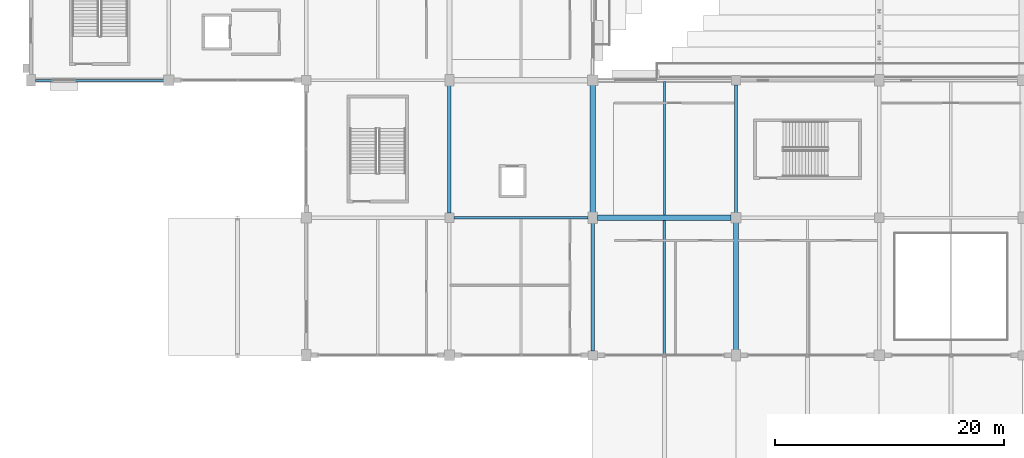
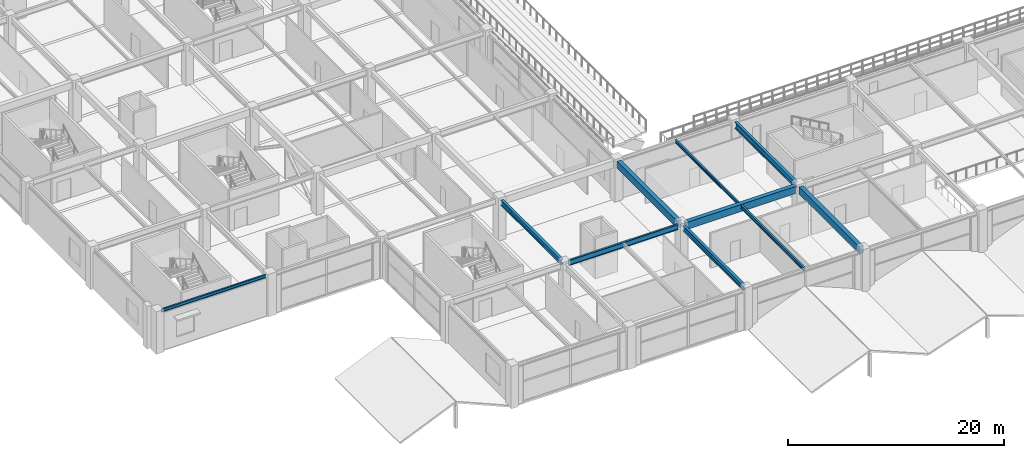
# One storey, part 7 of 134: 10 beams.
"""IFC4 building model written with IfcOpenShell, lengths in metres."""

import ifcopenshell
import ifcopenshell.guid

model = None  # the IFC model being written
_history = None  # IfcOwnerHistory: only IFC2X3 demands one
_inside = {}  # id of a spatial element -> (the spatial element, [elements in it])
_under = {}  # id of a project, library or spatial element -> (it, [spatial elements below it])
_declared = {}  # id of a project -> (the project, [libraries it declares])
_typed = {}  # id of a type object -> (the type object, [elements of that type])
_made_of = {}  # id of a material, layer set ... -> (it, [elements and type objects made of it])


def new_model(schema):
    """Start an empty IFC model of exactly this schema.

    Asked for "IFC4X3", IfcOpenShell would pick the latest addendum, in which some entities
    have other attributes; the version numbers below select the first issue.
    IFC2X3 requires an IfcOwnerHistory on every rooted entity: one is made here for all.
    """
    global model, _history
    if schema == "IFC4X3":
        model = ifcopenshell.file(schema_version=(4, 3, 0, 0))
    else:
        model = ifcopenshell.file(schema=schema)
    _inside.clear()
    _under.clear()
    _declared.clear()
    _typed.clear()
    _made_of.clear()
    _history = None
    if model.schema == "IFC2X3":
        org = make("IfcOrganization", Name="unknown")
        user = make(
            "IfcPersonAndOrganization",
            ThePerson=make("IfcPerson", FamilyName="unknown"),
            TheOrganization=org,
        )
        app = make(
            "IfcApplication",
            ApplicationDeveloper=org,
            Version="unknown",
            ApplicationFullName="unknown",
            ApplicationIdentifier="unknown",
        )
        _history = make(
            "IfcOwnerHistory",
            OwningUser=user,
            OwningApplication=app,
            ChangeAction="ADDED",
            CreationDate=0,
        )
    return model


def make(cls, **values):
    """One entity of the class cls with the attributes given. An attribute that is None is left unset."""
    return model.create_entity(
        cls, **{name: value for name, value in values.items() if value is not None}
    )


def rooted(cls, **values):
    """An entity with a GlobalId (a new one), such as an element, a storey or a relation."""
    return make(cls, GlobalId=ifcopenshell.guid.new(), OwnerHistory=_history, **values)


def si_unit(unit_type, name, prefix=None):
    """IfcSIUnit, for example si_unit("LENGTHUNIT", "METRE", prefix="MILLI")."""
    return make("IfcSIUnit", UnitType=unit_type, Prefix=prefix, Name=name)


def assignment(units):
    """IfcUnitAssignment: the units of a project."""
    return None if units is None else make("IfcUnitAssignment", Units=units)


def point(xyz):
    """IfcCartesianPoint."""
    return None if xyz is None else make("IfcCartesianPoint", Coordinates=xyz)


def direction(xyz):
    """IfcDirection."""
    return None if xyz is None else make("IfcDirection", DirectionRatios=xyz)


def frame(location, z_axis=None, x_axis=None):
    """IfcAxis2Placement3D, a coordinate frame: its origin and axes. An axis left out is left unset."""
    return make(
        "IfcAxis2Placement3D",
        Location=point(location),
        Axis=direction(z_axis),
        RefDirection=direction(x_axis),
    )


def frame_2d(location, x_axis=None):
    """IfcAxis2Placement2D, a coordinate frame in the plane: its origin and x axis."""
    return make(
        "IfcAxis2Placement2D", Location=point(location), RefDirection=direction(x_axis)
    )


def origin():
    """The frame at (0, 0, 0) with its axes left unset."""
    return frame((0.0, 0.0, 0.0))


def origin_2d():
    """The frame at (0, 0) in the plane with its x axis left unset."""
    return frame_2d((0.0, 0.0))


def place(relative_to, where):
    """IfcLocalPlacement: puts the frame where relative to a parent placement (None: the world)."""
    return make(
        "IfcLocalPlacement", PlacementRelTo=relative_to, RelativePlacement=where
    )


def context(
    kind, dimensions, precision=None, world=None, true_north=None, identifier=None
):
    """IfcGeometricRepresentationContext, for example the 3D "Model" context."""
    return make(
        "IfcGeometricRepresentationContext",
        ContextIdentifier=identifier,
        ContextType=kind,
        CoordinateSpaceDimension=dimensions,
        Precision=precision,
        WorldCoordinateSystem=world,
        TrueNorth=true_north,
    )


def subcontext(parent, identifier, kind, view, scale=None):
    """IfcGeometricRepresentationSubContext, for example "Body" below "Model"."""
    return make(
        "IfcGeometricRepresentationSubContext",
        ContextIdentifier=identifier,
        ContextType=kind,
        ParentContext=parent,
        TargetScale=scale,
        TargetView=view,
    )


def project(units=None, contexts=None):
    """IfcProject with its units and contexts."""
    return rooted(
        "IfcProject",
        Name="project",
        RepresentationContexts=contexts,
        UnitsInContext=assignment(units),
    )


def spatial(cls, under=None, at=None, **own):
    """A site, building, storey or space (cls), placed at a placement, below another one or the project."""
    s = rooted(cls, ObjectPlacement=at, **own)
    if under is not None:
        _under.setdefault(under.id(), (under, []))[1].append(s)
    return s


def profile(cls, at=None, kind="AREA", **sizes):
    """A parametric profile (cls). Its sizes go by their IFC names, for example OverallWidth=200.0."""
    return make(cls, ProfileType=kind, Position=at, **sizes)


def rectangle(**sizes):
    """IfcRectangleProfileDef."""
    return profile("IfcRectangleProfileDef", **sizes)


def i_section(**sizes):
    """IfcIShapeProfileDef."""
    return profile("IfcIShapeProfileDef", **sizes)


def extrude(swept, where, along, depth):
    """IfcExtrudedAreaSolid: the profile swept, set in the frame where, extruded along a direction by depth."""
    return make(
        "IfcExtrudedAreaSolid",
        SweptArea=swept,
        Position=where,
        ExtrudedDirection=direction(along),
        Depth=depth,
    )


def shape(context_of_items, identifier, shape_type, items):
    """IfcShapeRepresentation: the items that make up one representation, for example the "Body"."""
    return make(
        "IfcShapeRepresentation",
        ContextOfItems=context_of_items,
        RepresentationIdentifier=identifier,
        RepresentationType=shape_type,
        Items=items,
    )


def material(Name=None, Category=None):
    """IfcMaterial."""
    return make("IfcMaterial", Name=Name, Category=Category)


def material_profile(
    of_material, cross_section, Name=None, Category=None, Priority=None
):
    """IfcMaterialProfile: a cross section and its material."""
    return make(
        "IfcMaterialProfile",
        Name=Name,
        Material=of_material,
        Profile=cross_section,
        Priority=Priority,
        Category=Category,
    )


def profile_set(profiles, Name=None, composite=None):
    """IfcMaterialProfileSet."""
    return make(
        "IfcMaterialProfileSet",
        Name=Name,
        MaterialProfiles=profiles,
        CompositeProfile=composite,
    )


def made_of(thing, what):
    """Note that an element or type object is made of a material, layer set ...; save() writes the relation."""
    if what is not None:
        _made_of.setdefault(what.id(), (what, []))[1].append(thing)
    return thing


def type_object(cls, material=None, **own):
    """A type object (cls), such as IfcWallType, which elements share."""
    return made_of(rooted(cls, **own), material)


def element(
    cls,
    number,
    at=None,
    inside=None,
    cuts=None,
    type_object=None,
    material=None,
    context=None,
    identifier="Body",
    shape_type=None,
    held_by="IfcProductDefinitionShape",
    body=None,
    shapes=None,
    **own,
):
    """One element of the class cls, such as IfcWall. Its Tag is "e" and its number.

    at: its placement. inside: the storey or other place that contains it. cuts: it is an
    opening in that element (IfcRelVoidsElement). A single representation is given by context,
    identifier, shape_type and body (its items); several are given by shapes. held_by: the class
    of the entity that holds the representations. save() writes the other relations.
    """
    e = rooted(cls, Tag="e%d" % number, ObjectPlacement=at, **own)
    if body is not None:
        shapes = [shape(context, identifier, shape_type, body)]
    if shapes is not None:
        e.Representation = make(held_by, Representations=shapes)
    if inside is not None:
        _inside.setdefault(inside.id(), (inside, []))[1].append(e)
    if cuts is not None:
        rooted(
            "IfcRelVoidsElement", RelatingBuildingElement=cuts, RelatedOpeningElement=e
        )
    if type_object is not None:
        _typed.setdefault(type_object.id(), (type_object, []))[1].append(e)
    return made_of(e, material)


def aggregate(whole, parts):
    """IfcRelAggregates: a whole, such as a stair, and the parts it consists of."""
    return rooted("IfcRelAggregates", RelatingObject=whole, RelatedObjects=parts)


def save(model, path):
    """Write the relations noted so far, then the file.

    IfcRelAggregates (storeys below a building ...), IfcRelContainedInSpatialStructure (elements
    in a storey), IfcRelDefinesByType, IfcRelAssociatesMaterial and IfcRelDeclares: one each for
    every whole, place, type object, material and project.
    """
    for whole, parts in _under.values():
        aggregate(whole, parts)
    for where, things in _inside.values():
        rooted(
            "IfcRelContainedInSpatialStructure",
            RelatedElements=things,
            RelatingStructure=where,
        )
    for kind, things in _typed.values():
        rooted("IfcRelDefinesByType", RelatedObjects=things, RelatingType=kind)
    for what, things in _made_of.values():
        rooted("IfcRelAssociatesMaterial", RelatedObjects=things, RelatingMaterial=what)
    for by, libraries in _declared.values():
        rooted("IfcRelDeclares", RelatingContext=by, RelatedDefinitions=libraries)
    model.write(path)


model = new_model("IFC4")

# Units and contexts
model_context = context("Model", 3, precision=1e-05, world=origin(), true_north=direction((0.0, 1.0)))
body_context = subcontext(model_context, "Body", "Model", "MODEL_VIEW")
ifc_project = project(units=[si_unit("LENGTHUNIT", "METRE"), si_unit("AREAUNIT", "SQUARE_METRE"), si_unit("VOLUMEUNIT", "CUBIC_METRE"), si_unit("PLANEANGLEUNIT", "RADIAN"), si_unit("MASSUNIT", "GRAM", prefix="KILO")], contexts=[model_context])

# Site, building, storey
site_placement = place(None, origin())
site = spatial("IfcSite", under=ifc_project, at=site_placement, CompositionType="ELEMENT")
building_placement = place(site_placement, origin())
building = spatial("IfcBuilding", under=site, at=building_placement, Name="Kazenohara Klinker Stadium", CompositionType="ELEMENT")
storey_placement = place(building_placement, frame((0.0, 0.0, 5.39990234375)))
storey = spatial("IfcBuildingStorey", under=building, at=storey_placement, Name="L01", CompositionType="ELEMENT", Elevation=5.39990234375)

# Beams
ifc_material_1 = material(Name="Steel S355", Category="steel")
ifc_material_profile_1 = material_profile(ifc_material_1, i_section(OverallWidth=0.199951171875, OverallDepth=0.39990234375, WebThickness=0.008056640625, FlangeThickness=0.012939453125, FilletRadius=0.012939453125, at=origin_2d()), Name="H-400x200x8x13")
ifc_profile_set_1 = profile_set([ifc_material_profile_1], Name="Steel S355")
beam_type_1 = type_object("IfcBeamType", Name="BM-JST03", PredefinedType="JOIST", material=ifc_profile_set_1)
beam_1_placement = place(storey_placement, frame((55.25, 12.08740234375, 4.35009765625), z_axis=(0.0, 1.0, 0.0), x_axis=(-1.0, 0.0, 0.0)))
element("IfcBeam", 1, at=beam_1_placement, inside=storey, type_object=beam_type_1, Name="Secondary floor joist SJ03 L01 5/B", PredefinedType="JOIST", context=body_context, shape_type="SweptSolid", body=[
    extrude(i_section(OverallWidth=0.199951171875, OverallDepth=0.39990234375, WebThickness=0.008056640625, FlangeThickness=0.012939453125, FilletRadius=0.012939453125, at=origin_2d()), origin(), (0.0, 0.0, 1.0), 11.6875),
])
ifc_material_profile_2 = material_profile(ifc_material_1, i_section(OverallWidth=0.175048828125, OverallDepth=0.35009765625, WebThickness=0.007080078125, FlangeThickness=0.010986328125, FilletRadius=0.012939453125, at=origin_2d()), Name="H-350x175x7x11")
ifc_profile_set_2 = profile_set([ifc_material_profile_2], Name="Steel S355")
beam_type_2 = type_object("IfcBeamType", Name="BM-JST04", PredefinedType="JOIST", material=ifc_profile_set_2)
beam_2_placement = place(storey_placement, frame((55.25, 24.22509765625, 4.375), z_axis=(0.0, 1.0, 0.0), x_axis=(-1.0, 0.0, 0.0)))
element("IfcBeam", 2, at=beam_2_placement, inside=storey, type_object=beam_type_2, Name="Secondary floor joist SJ04 L01 5/C", PredefinedType="JOIST", context=body_context, shape_type="SweptSolid", body=[
    extrude(i_section(OverallWidth=0.175048828125, OverallDepth=0.35009765625, WebThickness=0.007080078125, FlangeThickness=0.010986328125, FilletRadius=0.012939453125, at=origin_2d()), origin(), (0.0, 0.0, 1.0), 11.6875),
])
ifc_material_2 = material(Name="Concrete C40/50", Category="concrete")
ifc_material_profile_3 = material_profile(ifc_material_2, rectangle(XDim=0.449951171875, YDim=0.800048828125, at=origin_2d()), Name="RC-BM-450x800")
ifc_profile_set_3 = profile_set([ifc_material_profile_3], Name="Concrete C40/50")
beam_type_3 = type_object("IfcBeamType", Name="BM-RC03", PredefinedType="BEAM", material=ifc_profile_set_3)
beam_3_placement = place(storey_placement, frame((49.39990234375, 24.0, 4.150146484375), z_axis=(1.0, 0.0, 0.0), x_axis=(0.0, 1.0, 0.0)))
element("IfcBeam", 3, at=beam_3_placement, inside=storey, type_object=beam_type_3, Name="Primary girder BG03 L01 5-6/C", PredefinedType="BEAM", context=body_context, shape_type="SweptSolid", body=[
    extrude(rectangle(XDim=0.449951171875, YDim=0.800048828125, at=origin_2d()), origin(), (0.0, 0.0, 1.0), 11.68017578125),
])
for number, where, z_axis, x_axis, name in (
    (4, (49.0, 24.419921875, 4.150146484375), (0.0, 1.0, 0.0), (-1.0, 0.0, 0.0), "Primary girder BG03 L01 5/C-D"),
    (5, (61.5, 12.419921875, 4.150146484375), (0.0, 1.0, 0.0), (-1.0, 0.0, 0.0), "Primary girder BG03 L01 6/B-C"),
):
    element("IfcBeam", number, at=place(storey_placement, frame(where, z_axis=z_axis, x_axis=x_axis)), inside=storey, type_object=beam_type_3, Name=name, PredefinedType="BEAM", context=body_context, shape_type="SweptSolid", body=[
        extrude(rectangle(XDim=0.449951171875, YDim=0.800048828125, at=origin_2d()), origin(), (0.0, 0.0, 1.0), 11.16015625),
    ])
ifc_material_profile_4 = material_profile(ifc_material_1, i_section(OverallWidth=0.175048828125, OverallDepth=0.35009765625, WebThickness=0.007080078125, FlangeThickness=0.010986328125, FilletRadius=0.012939453125, at=origin_2d()), Name="H-350x175x7x11")
ifc_profile_set_4 = profile_set([ifc_material_profile_4], Name="Steel S355")
beam_type_4 = type_object("IfcBeamType", Name="BM-SPD02", PredefinedType="SPANDREL", material=ifc_profile_set_4)
beam_4_placement = place(storey_placement, frame((0.39990234375, 36.0, 4.375), z_axis=(1.0, 0.0, 0.0), x_axis=(0.0, 1.0, 0.0)))
element("IfcBeam", 6, at=beam_4_placement, inside=storey, type_object=beam_type_4, Name="Primary girder SP02 L01 1-2/D", PredefinedType="SPANDREL", context=body_context, shape_type="SweptSolid", body=[
    extrude(i_section(OverallWidth=0.175048828125, OverallDepth=0.35009765625, WebThickness=0.007080078125, FlangeThickness=0.010986328125, FilletRadius=0.012939453125, at=origin_2d()), origin(), (0.0, 0.0, 1.0), 11.18017578125),
])
ifc_material_profile_5 = material_profile(ifc_material_1, i_section(OverallWidth=0.300048828125, OverallDepth=0.699951171875, WebThickness=0.012939453125, FlangeThickness=0.02392578125, FilletRadius=0.02197265625, at=origin_2d()), Name="H-700x300x13x24")
ifc_profile_set_5 = profile_set([ifc_material_profile_5], Name="Steel S355")
beam_type_5 = type_object("IfcBeamType", Name="BM-ST03", PredefinedType="BEAM", material=ifc_profile_set_5)
beam_5_placement = place(storey_placement, frame((61.5, 24.419921875, 4.2001953125), z_axis=(0.0, 1.0, 0.0), x_axis=(-1.0, 0.0, 0.0)))
element("IfcBeam", 7, at=beam_5_placement, inside=storey, type_object=beam_type_5, Name="Primary girder SB03 L01 6/C-D", PredefinedType="BEAM", context=body_context, shape_type="SweptSolid", body=[
    extrude(i_section(OverallWidth=0.300048828125, OverallDepth=0.699951171875, WebThickness=0.012939453125, FlangeThickness=0.02392578125, FilletRadius=0.02197265625, at=origin_2d()), origin(), (0.0, 0.0, 1.0), 11.18017578125),
])
ifc_material_profile_6 = material_profile(ifc_material_1, i_section(OverallWidth=0.199951171875, OverallDepth=0.60009765625, WebThickness=0.010986328125, FlangeThickness=0.01708984375, FilletRadius=0.012939453125, at=origin_2d()), Name="H-600x200x11x17")
ifc_profile_set_6 = profile_set([ifc_material_profile_6], Name="Steel S355")
beam_type_6 = type_object("IfcBeamType", Name="BM-ST04", PredefinedType="BEAM", material=ifc_profile_set_6)
beam_6_placement = place(storey_placement, frame((36.89990234375, 24.0, 4.25), z_axis=(1.0, 0.0, 0.0), x_axis=(0.0, 1.0, 0.0)))
element("IfcBeam", 8, at=beam_6_placement, inside=storey, type_object=beam_type_6, Name="Primary girder SB04 L01 4-5/C", PredefinedType="BEAM", context=body_context, shape_type="SweptSolid", body=[
    extrude(i_section(OverallWidth=0.199951171875, OverallDepth=0.60009765625, WebThickness=0.010986328125, FlangeThickness=0.01708984375, FilletRadius=0.012939453125, at=origin_2d()), origin(), (0.0, 0.0, 1.0), 11.7001953125),
])
ifc_material_profile_7 = material_profile(ifc_material_1, i_section(OverallWidth=0.300048828125, OverallDepth=0.587890625, WebThickness=0.011962890625, FlangeThickness=0.02001953125, FilletRadius=0.02197265625, at=origin_2d()), Name="H-588x300x12x20")
ifc_profile_set_7 = profile_set([ifc_material_profile_7], Name="Steel S355")
beam_type_7 = type_object("IfcBeamType", Name="BM-ST05", PredefinedType="BEAM", material=ifc_profile_set_7)
for number, where, z_axis, x_axis, name in (
    (9, (36.5, 24.39990234375, 4.256103515625), (0.0, 1.0, 0.0), (-1.0, 0.0, 0.0), "Primary girder SB05 L01 4/C-D"),
    (10, (49.0, 12.39990234375, 4.256103515625), (0.0, 1.0, 0.0), (-1.0, 0.0, 0.0), "Primary girder SB05 L01 5/B-C"),
):
    element("IfcBeam", number, at=place(storey_placement, frame(where, z_axis=z_axis, x_axis=x_axis)), inside=storey, type_object=beam_type_7, Name=name, PredefinedType="BEAM", context=body_context, shape_type="SweptSolid", body=[
        extrude(i_section(OverallWidth=0.300048828125, OverallDepth=0.587890625, WebThickness=0.011962890625, FlangeThickness=0.02001953125, FilletRadius=0.02197265625, at=origin_2d()), origin(), (0.0, 0.0, 1.0), 11.18017578125),
    ])

save(model, "model.ifc")
